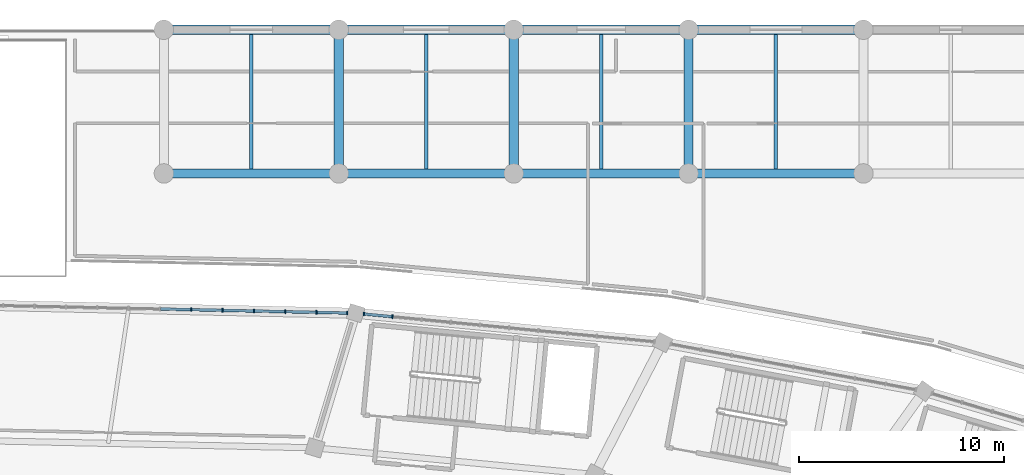
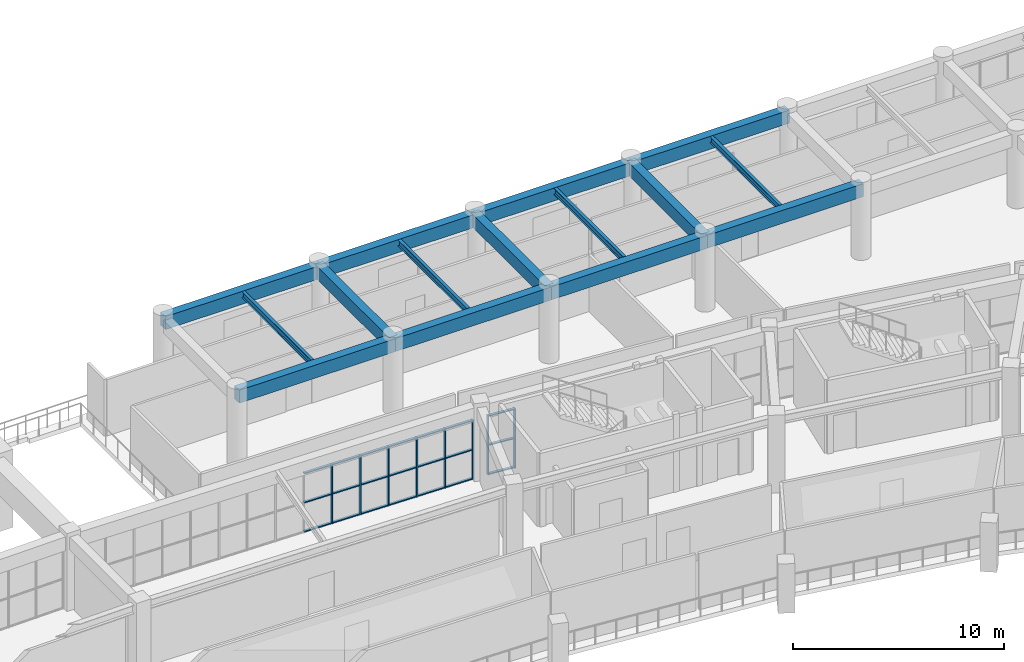
# One storey, part 66 of 141: 29 members, 15 beams, 2 elements without a shape of their own.
"""IFC4 building model written with IfcOpenShell, lengths in metres."""

from ifc_helpers import new_model, si_unit, direction, frame, origin, origin_2d, place, context, subcontext, project, spatial, rectangle, i_section, extrude, material, layer, layer_set, material_profile, profile_set, type_object, element, aggregate, save


model = new_model("IFC4")

# Units and contexts
model_context = context("Model", 3, precision=1e-05, world=origin(), true_north=direction((0.0, 1.0)))
body_context = subcontext(model_context, "Body", "Model", "MODEL_VIEW")
ifc_project = project(units=[si_unit("LENGTHUNIT", "METRE"), si_unit("AREAUNIT", "SQUARE_METRE"), si_unit("VOLUMEUNIT", "CUBIC_METRE"), si_unit("PLANEANGLEUNIT", "RADIAN"), si_unit("MASSUNIT", "GRAM", prefix="KILO")], contexts=[model_context])

# Site, building, storey
site_placement = place(None, origin())
site = spatial("IfcSite", under=ifc_project, at=site_placement, CompositionType="ELEMENT")
building_placement = place(site_placement, origin())
building = spatial("IfcBuilding", under=site, at=building_placement, Name="Mphavela Belvedere Stadium", CompositionType="ELEMENT")
storey_placement = place(building_placement, frame((0.0, 0.0, 14.699951171875)))
storey = spatial("IfcBuildingStorey", under=building, at=storey_placement, Name="L03", CompositionType="ELEMENT", Elevation=14.699951171875)

# Beams
ifc_material_1 = material(Name="Steel S355", Category="steel")
ifc_material_profile_1 = material_profile(ifc_material_1, i_section(OverallWidth=0.169921875, OverallDepth=0.360107421875, WebThickness=0.008056640625, FlangeThickness=0.0126953125, at=origin_2d()), Name="IPE 360")
ifc_profile_set_1 = profile_set([ifc_material_profile_1], Name="Steel S355")
beam_type_1 = type_object("IfcBeamType", Name="BM-JOIST-IPE360", PredefinedType="JOIST", material=ifc_profile_set_1)
for number, where, z_axis, x_axis, name in (
    (1, (132.037109375, 167.22509765625, 4.06005859375), (0.0, 1.0, 0.0), (-1.0, 0.0, 0.0), "North Mast and Ceremonial End Forecourt secondary joist L03 16-7"),
    (2, (140.555419921875, 167.22509765625, 4.06005859375), (0.0, 1.0, 0.0), (-1.0, 0.0, 0.0), "North Mast and Ceremonial End Forecourt secondary joist L03 17-7"),
    (3, (149.073974609375, 167.22509765625, 4.06005859375), (0.0, 1.0, 0.0), (-1.0, 0.0, 0.0), "North Mast and Ceremonial End Forecourt secondary joist L03 18-7"),
    (4, (157.592529296875, 167.22509765625, 4.06005859375), (0.0, 1.0, 0.0), (-1.0, 0.0, 0.0), "North Mast and Ceremonial End Forecourt secondary joist L03 19-7"),
):
    element("IfcBeam", number, at=place(storey_placement, frame(where, z_axis=z_axis, x_axis=x_axis)), inside=storey, type_object=beam_type_1, Name=name, PredefinedType="JOIST", context=body_context, shape_type="SweptSolid", body=[
        extrude(i_section(OverallWidth=0.169921875, OverallDepth=0.360107421875, WebThickness=0.008056640625, FlangeThickness=0.0126953125, at=origin_2d()), origin(), (0.0, 0.0, 1.0), 6.5498046875),
    ])
ifc_material_2 = material(Name="Concrete C40/50", Category="concrete")
ifc_material_profile_2 = material_profile(ifc_material_2, rectangle(XDim=0.449951171875, YDim=0.75, at=origin_2d()), Name="RC 450x750")
ifc_profile_set_2 = profile_set([ifc_material_profile_2], Name="Concrete C40/50")
beam_type_2 = type_object("IfcBeamType", Name="BM-RC450x750", PredefinedType="BEAM", material=ifc_profile_set_2)
for number, where, z_axis, x_axis, name in (
    (5, (127.778076171875, 167.0, 3.864990234375), (1.0, 0.0, 0.0), (0.0, 1.0, 0.0), "North Mast and Ceremonial End Forecourt entablature beam X L03 16-7"),
    (6, (127.778076171875, 174.0, 3.864990234375), (1.0, 0.0, 0.0), (0.0, 1.0, 0.0), "North Mast and Ceremonial End Forecourt entablature beam X L03 16-8"),
):
    element("IfcBeam", number, at=place(storey_placement, frame(where, z_axis=z_axis, x_axis=x_axis)), inside=storey, type_object=beam_type_2, Name=name, PredefinedType="BEAM", context=body_context, shape_type="SweptSolid", body=[
        extrude(rectangle(XDim=0.449951171875, YDim=0.75, at=origin_2d()), origin(), (0.0, 0.0, 1.0), 8.517822265625),
    ])
beam_1_placement = place(storey_placement, frame((136.2958984375, 167.0, 3.864990234375), z_axis=(1.0, 0.0, 0.0), x_axis=(0.0, 1.0, 0.0)))
element("IfcBeam", 7, at=beam_1_placement, inside=storey, type_object=beam_type_2, Name="North Mast and Ceremonial End Forecourt entablature beam X L03 17-7", PredefinedType="BEAM", context=body_context, shape_type="SweptSolid", body=[
    extrude(rectangle(XDim=0.449951171875, YDim=0.75, at=origin_2d()), origin(), (0.0, 0.0, 1.0), 8.51904296875),
])
beam_2_placement = place(storey_placement, frame((136.2958984375, 167.0, 3.864990234375), z_axis=(0.0, 1.0, 0.0), x_axis=(-1.0, 0.0, 0.0)))
element("IfcBeam", 8, at=beam_2_placement, inside=storey, type_object=beam_type_2, Name="North Mast and Ceremonial End Forecourt entablature beam Y L03 17-7", PredefinedType="BEAM", context=body_context, shape_type="SweptSolid", body=[
    extrude(rectangle(XDim=0.449951171875, YDim=0.75, at=origin_2d()), origin(), (0.0, 0.0, 1.0), 7.0),
])
beam_3_placement = place(storey_placement, frame((136.2958984375, 174.0, 3.864990234375), z_axis=(1.0, 0.0, 0.0), x_axis=(0.0, 1.0, 0.0)))
element("IfcBeam", 9, at=beam_3_placement, inside=storey, type_object=beam_type_2, Name="North Mast and Ceremonial End Forecourt entablature beam X L03 17-8", PredefinedType="BEAM", context=body_context, shape_type="SweptSolid", body=[
    extrude(rectangle(XDim=0.449951171875, YDim=0.75, at=origin_2d()), origin(), (0.0, 0.0, 1.0), 8.51904296875),
])
beam_4_placement = place(storey_placement, frame((144.81494140625, 167.0, 3.864990234375), z_axis=(1.0, 0.0, 0.0), x_axis=(0.0, 1.0, 0.0)))
element("IfcBeam", 10, at=beam_4_placement, inside=storey, type_object=beam_type_2, Name="North Mast and Ceremonial End Forecourt entablature beam X L03 18-7", PredefinedType="BEAM", context=body_context, shape_type="SweptSolid", body=[
    extrude(rectangle(XDim=0.449951171875, YDim=0.75, at=origin_2d()), origin(), (0.0, 0.0, 1.0), 8.51806640625),
])
beam_5_placement = place(storey_placement, frame((144.81494140625, 167.0, 3.864990234375), z_axis=(0.0, 1.0, 0.0), x_axis=(-1.0, 0.0, 0.0)))
element("IfcBeam", 11, at=beam_5_placement, inside=storey, type_object=beam_type_2, Name="North Mast and Ceremonial End Forecourt entablature beam Y L03 18-7", PredefinedType="BEAM", context=body_context, shape_type="SweptSolid", body=[
    extrude(rectangle(XDim=0.449951171875, YDim=0.75, at=origin_2d()), origin(), (0.0, 0.0, 1.0), 7.0),
])
beam_6_placement = place(storey_placement, frame((144.81494140625, 174.0, 3.864990234375), z_axis=(1.0, 0.0, 0.0), x_axis=(0.0, 1.0, 0.0)))
element("IfcBeam", 12, at=beam_6_placement, inside=storey, type_object=beam_type_2, Name="North Mast and Ceremonial End Forecourt entablature beam X L03 18-8", PredefinedType="BEAM", context=body_context, shape_type="SweptSolid", body=[
    extrude(rectangle(XDim=0.449951171875, YDim=0.75, at=origin_2d()), origin(), (0.0, 0.0, 1.0), 8.51806640625),
])
beam_7_placement = place(storey_placement, frame((153.3330078125, 167.0, 3.864990234375), z_axis=(1.0, 0.0, 0.0), x_axis=(0.0, 1.0, 0.0)))
element("IfcBeam", 13, at=beam_7_placement, inside=storey, type_object=beam_type_2, Name="North Mast and Ceremonial End Forecourt entablature beam X L03 19-7", PredefinedType="BEAM", context=body_context, shape_type="SweptSolid", body=[
    extrude(rectangle(XDim=0.449951171875, YDim=0.75, at=origin_2d()), origin(), (0.0, 0.0, 1.0), 8.51904296875),
])
beam_8_placement = place(storey_placement, frame((153.3330078125, 167.0, 3.864990234375), z_axis=(0.0, 1.0, 0.0), x_axis=(-1.0, 0.0, 0.0)))
element("IfcBeam", 14, at=beam_8_placement, inside=storey, type_object=beam_type_2, Name="North Mast and Ceremonial End Forecourt entablature beam Y L03 19-7", PredefinedType="BEAM", context=body_context, shape_type="SweptSolid", body=[
    extrude(rectangle(XDim=0.449951171875, YDim=0.75, at=origin_2d()), origin(), (0.0, 0.0, 1.0), 7.0),
])
beam_9_placement = place(storey_placement, frame((153.3330078125, 174.0, 3.864990234375), z_axis=(1.0, 0.0, 0.0), x_axis=(0.0, 1.0, 0.0)))
element("IfcBeam", 15, at=beam_9_placement, inside=storey, type_object=beam_type_2, Name="North Mast and Ceremonial End Forecourt entablature beam X L03 19-8", PredefinedType="BEAM", context=body_context, shape_type="SweptSolid", body=[
    extrude(rectangle(XDim=0.449951171875, YDim=0.75, at=origin_2d()), origin(), (0.0, 0.0, 1.0), 8.51904296875),
])

# Curtain wall, members
ifc_material_3 = material(Name="Anodised bronze unitised curtain wall framing")
ifc_layer_1 = layer(ifc_material_3, 0.18994140625)
ifc_layer_set_1 = layer_set([ifc_layer_1], Name="Anodised bronze unitised curtain wall framing")
curtain_wall_type_1 = type_object("IfcCurtainWallType", Name="CW-UNIT-03", PredefinedType="USERDEFINED", material=ifc_layer_set_1)
curtain_wall_1_placement = place(storey_placement, origin())
curtain_wall_1 = element("IfcCurtainWall", 16, at=curtain_wall_1_placement, inside=storey, type_object=curtain_wall_type_1, Name="Belvedere colonnade curtain wall L03-11", ObjectType="UNITISED CURTAIN WALL", PredefinedType="USERDEFINED")
ifc_material_4 = material(Name="Anodised bronze extruded aluminium", Category="aluminium")
ifc_material_profile_3 = material_profile(ifc_material_4, rectangle(XDim=0.179931640625, YDim=0.06494140625, at=origin_2d()), Name="CW-MUL 180x65")
ifc_profile_set_3 = profile_set([ifc_material_profile_3], Name="Anodised bronze extruded aluminium")
member_type_1 = type_object("IfcMemberType", Name="CWM-180x65", PredefinedType="MULLION", material=ifc_profile_set_3)
member_1_placement = place(storey_placement, frame((138.907470703125, 160.02294921875, 0.0), z_axis=(0.0, 0.0, 1.0), x_axis=(-0.094929381996, -0.99548400913, 0.0)))
member_1 = element("IfcMember", 17, at=member_1_placement, type_object=member_type_1, Name="CW-03 mullion 10", PredefinedType="MULLION", context=body_context, shape_type="SweptSolid", body=[
    extrude(rectangle(XDim=0.179931640625, YDim=0.06494140625, at=origin_2d()), origin(), (0.0, 0.0, 1.0), 3.420166015625),
])
member_2_placement = place(storey_placement, frame((137.518310546875, 160.1552734375, 0.0), z_axis=(0.0, 0.0, 1.0), x_axis=(-0.094929381996, -0.99548400913, 0.0)))
member_2 = element("IfcMember", 18, at=member_2_placement, type_object=member_type_1, Name="CW-03 mullion 11", PredefinedType="MULLION", context=body_context, shape_type="SweptSolid", body=[
    extrude(rectangle(XDim=0.179931640625, YDim=0.06494140625, at=origin_2d()), origin(), (0.0, 0.0, 1.0), 3.420166015625),
])

ifc_material_5 = material(Name="Anodised bronze unitised curtain wall framing")
ifc_layer_2 = layer(ifc_material_5, 0.195068359375)
ifc_layer_set_2 = layer_set([ifc_layer_2], Name="Anodised bronze unitised curtain wall framing")
curtain_wall_type_2 = type_object("IfcCurtainWallType", Name="CW-UNIT-04", PredefinedType="USERDEFINED", material=ifc_layer_set_2)
curtain_wall_2_placement = place(storey_placement, origin())
curtain_wall_2 = element("IfcCurtainWall", 19, at=curtain_wall_2_placement, inside=storey, type_object=curtain_wall_type_2, Name="Belvedere colonnade curtain wall L03-12", ObjectType="UNITISED CURTAIN WALL", PredefinedType="USERDEFINED")
member_3_placement = place(storey_placement, frame((136.709228515625, 160.202392578125, 0.0), z_axis=(0.0, 0.0, 1.0), x_axis=(-0.02153107878, -0.999768179453, 0.0)))
member_3 = element("IfcMember", 20, at=member_3_placement, type_object=member_type_1, Name="CW-04 mullion 1", PredefinedType="MULLION", context=body_context, shape_type="SweptSolid", body=[
    extrude(rectangle(XDim=0.179931640625, YDim=0.06494140625, at=origin_2d()), origin(), (0.0, 0.0, 1.0), 3.420166015625),
])
member_4_placement = place(storey_placement, frame((135.21533203125, 160.234619140625, 0.0), z_axis=(0.0, 0.0, 1.0), x_axis=(-0.02153107878, -0.999768179453, 0.0)))
member_4 = element("IfcMember", 21, at=member_4_placement, type_object=member_type_1, Name="CW-04 mullion 2", PredefinedType="MULLION", context=body_context, shape_type="SweptSolid", body=[
    extrude(rectangle(XDim=0.179931640625, YDim=0.06494140625, at=origin_2d()), origin(), (0.0, 0.0, 1.0), 3.420166015625),
])
member_5_placement = place(storey_placement, frame((133.68896484375, 160.267578125, 0.0), z_axis=(0.0, 0.0, 1.0), x_axis=(-0.02153107878, -0.999768179453, 0.0)))
member_5 = element("IfcMember", 22, at=member_5_placement, type_object=member_type_1, Name="CW-04 mullion 3", PredefinedType="MULLION", context=body_context, shape_type="SweptSolid", body=[
    extrude(rectangle(XDim=0.179931640625, YDim=0.06494140625, at=origin_2d()), origin(), (0.0, 0.0, 1.0), 3.420166015625),
])
member_6_placement = place(storey_placement, frame((132.16259765625, 160.30029296875, 0.0), z_axis=(0.0, 0.0, 1.0), x_axis=(-0.02153107878, -0.999768179453, 0.0)))
member_6 = element("IfcMember", 23, at=member_6_placement, type_object=member_type_1, Name="CW-04 mullion 4", PredefinedType="MULLION", context=body_context, shape_type="SweptSolid", body=[
    extrude(rectangle(XDim=0.179931640625, YDim=0.06494140625, at=origin_2d()), origin(), (0.0, 0.0, 1.0), 3.420166015625),
])
member_7_placement = place(storey_placement, frame((130.63623046875, 160.333251953125, 0.0), z_axis=(0.0, 0.0, 1.0), x_axis=(-0.02153107878, -0.999768179453, 0.0)))
member_7 = element("IfcMember", 24, at=member_7_placement, type_object=member_type_1, Name="CW-04 mullion 5", PredefinedType="MULLION", context=body_context, shape_type="SweptSolid", body=[
    extrude(rectangle(XDim=0.179931640625, YDim=0.06494140625, at=origin_2d()), origin(), (0.0, 0.0, 1.0), 3.420166015625),
])
member_8_placement = place(storey_placement, frame((129.110107421875, 160.3662109375, 0.0), z_axis=(0.0, 0.0, 1.0), x_axis=(-0.02153107878, -0.999768179453, 0.0)))
member_8 = element("IfcMember", 25, at=member_8_placement, type_object=member_type_1, Name="CW-04 mullion 6", PredefinedType="MULLION", context=body_context, shape_type="SweptSolid", body=[
    extrude(rectangle(XDim=0.179931640625, YDim=0.06494140625, at=origin_2d()), origin(), (0.0, 0.0, 1.0), 3.420166015625),
])

# Member
ifc_material_6 = material(Name="Anodised bronze extruded aluminium", Category="aluminium")
ifc_material_profile_4 = material_profile(ifc_material_6, rectangle(XDim=0.139892578125, YDim=0.06005859375, at=origin_2d()), Name="CW-TRN 140x60")
ifc_profile_set_4 = profile_set([ifc_material_profile_4], Name="Anodised bronze extruded aluminium")
member_type_2 = type_object("IfcMemberType", Name="CWT-140x60", PredefinedType="USERDEFINED", material=ifc_profile_set_4)
member_9_placement = place(storey_placement, frame((138.875, 160.02587890625, 0.030029296875), z_axis=(-0.995472351283, 0.095051553542, 0.0), x_axis=(-0.095051553542, -0.995472351283, 0.0)))
member_9 = element("IfcMember", 26, at=member_9_placement, type_object=member_type_2, Name="CW-03 transom 10.1", ObjectType="TRANSOM", PredefinedType="USERDEFINED", context=body_context, shape_type="SweptSolid", body=[
    extrude(rectangle(XDim=0.139892578125, YDim=0.06005859375, at=origin_2d()), origin(), (0.0, 0.0, 1.0), 1.33056640625),
])

member_10_placement = place(storey_placement, frame((138.875, 160.02587890625, 1.7099609375), z_axis=(-0.995472351283, 0.095051553542, 0.0), x_axis=(-0.095051553542, -0.995472351283, 0.0)))
member_10 = element("IfcMember", 27, at=member_10_placement, type_object=member_type_2, Name="CW-03 transom 10.2", ObjectType="TRANSOM", PredefinedType="USERDEFINED", context=body_context, shape_type="SweptSolid", body=[
    extrude(rectangle(XDim=0.139892578125, YDim=0.06005859375, at=origin_2d()), origin(), (0.0, 0.0, 1.0), 1.33056640625),
])

member_11_placement = place(storey_placement, frame((138.875, 160.02587890625, 3.39013671875), z_axis=(-0.995472351283, 0.095051553542, 0.0), x_axis=(-0.095051553542, -0.995472351283, 0.0)))
member_11 = element("IfcMember", 28, at=member_11_placement, type_object=member_type_2, Name="CW-03 transom 10.3", ObjectType="TRANSOM", PredefinedType="USERDEFINED", context=body_context, shape_type="SweptSolid", body=[
    extrude(rectangle(XDim=0.139892578125, YDim=0.06005859375, at=origin_2d()), origin(), (0.0, 0.0, 1.0), 1.33056640625),
])

aggregate(curtain_wall_1, [member_1, member_2, member_9, member_10, member_11])

member_12_placement = place(storey_placement, frame((136.6767578125, 160.203125, 0.030029296875), z_axis=(-0.999768365561, 0.021522435343, 0.0), x_axis=(-0.021522435343, -0.999768365561, 0.0)))
member_12 = element("IfcMember", 29, at=member_12_placement, type_object=member_type_2, Name="CW-04 transom 1.1", ObjectType="TRANSOM", PredefinedType="USERDEFINED", context=body_context, shape_type="SweptSolid", body=[
    extrude(rectangle(XDim=0.139892578125, YDim=0.06005859375, at=origin_2d()), origin(), (0.0, 0.0, 1.0), 1.42919921875),
])

member_13_placement = place(storey_placement, frame((136.6767578125, 160.203125, 1.7099609375), z_axis=(-0.999768365561, 0.021522435343, 0.0), x_axis=(-0.021522435343, -0.999768365561, 0.0)))
member_13 = element("IfcMember", 30, at=member_13_placement, type_object=member_type_2, Name="CW-04 transom 1.2", ObjectType="TRANSOM", PredefinedType="USERDEFINED", context=body_context, shape_type="SweptSolid", body=[
    extrude(rectangle(XDim=0.139892578125, YDim=0.06005859375, at=origin_2d()), origin(), (0.0, 0.0, 1.0), 1.42919921875),
])

member_14_placement = place(storey_placement, frame((136.6767578125, 160.203125, 3.39013671875), z_axis=(-0.999768365561, 0.021522435343, 0.0), x_axis=(-0.021522435343, -0.999768365561, 0.0)))
member_14 = element("IfcMember", 31, at=member_14_placement, type_object=member_type_2, Name="CW-04 transom 1.3", ObjectType="TRANSOM", PredefinedType="USERDEFINED", context=body_context, shape_type="SweptSolid", body=[
    extrude(rectangle(XDim=0.139892578125, YDim=0.06005859375, at=origin_2d()), origin(), (0.0, 0.0, 1.0), 1.42919921875),
])

member_15_placement = place(storey_placement, frame((135.182861328125, 160.2353515625, 0.030029296875), z_axis=(-0.999767873479, 0.021545281604, 0.0), x_axis=(-0.021545281604, -0.999767873479, 0.0)))
member_15 = element("IfcMember", 32, at=member_15_placement, type_object=member_type_2, Name="CW-04 transom 2.1", ObjectType="TRANSOM", PredefinedType="USERDEFINED", context=body_context, shape_type="SweptSolid", body=[
    extrude(rectangle(XDim=0.139892578125, YDim=0.06005859375, at=origin_2d()), origin(), (0.0, 0.0, 1.0), 1.461669921875),
])

member_16_placement = place(storey_placement, frame((135.182861328125, 160.2353515625, 1.7099609375), z_axis=(-0.999767873479, 0.021545281604, 0.0), x_axis=(-0.021545281604, -0.999767873479, 0.0)))
member_16 = element("IfcMember", 33, at=member_16_placement, type_object=member_type_2, Name="CW-04 transom 2.2", ObjectType="TRANSOM", PredefinedType="USERDEFINED", context=body_context, shape_type="SweptSolid", body=[
    extrude(rectangle(XDim=0.139892578125, YDim=0.06005859375, at=origin_2d()), origin(), (0.0, 0.0, 1.0), 1.461669921875),
])

member_17_placement = place(storey_placement, frame((135.182861328125, 160.2353515625, 3.39013671875), z_axis=(-0.999767873479, 0.021545281604, 0.0), x_axis=(-0.021545281604, -0.999767873479, 0.0)))
member_17 = element("IfcMember", 34, at=member_17_placement, type_object=member_type_2, Name="CW-04 transom 2.3", ObjectType="TRANSOM", PredefinedType="USERDEFINED", context=body_context, shape_type="SweptSolid", body=[
    extrude(rectangle(XDim=0.139892578125, YDim=0.06005859375, at=origin_2d()), origin(), (0.0, 0.0, 1.0), 1.461669921875),
])

member_18_placement = place(storey_placement, frame((133.656494140625, 160.268310546875, 0.030029296875), z_axis=(-0.999767873479, 0.021545281604, 0.0), x_axis=(-0.021545281604, -0.999767873479, 0.0)))
member_18 = element("IfcMember", 35, at=member_18_placement, type_object=member_type_2, Name="CW-04 transom 3.1", ObjectType="TRANSOM", PredefinedType="USERDEFINED", context=body_context, shape_type="SweptSolid", body=[
    extrude(rectangle(XDim=0.139892578125, YDim=0.06005859375, at=origin_2d()), origin(), (0.0, 0.0, 1.0), 1.461669921875),
])

member_19_placement = place(storey_placement, frame((133.656494140625, 160.268310546875, 1.7099609375), z_axis=(-0.999767873479, 0.021545281604, 0.0), x_axis=(-0.021545281604, -0.999767873479, 0.0)))
member_19 = element("IfcMember", 36, at=member_19_placement, type_object=member_type_2, Name="CW-04 transom 3.2", ObjectType="TRANSOM", PredefinedType="USERDEFINED", context=body_context, shape_type="SweptSolid", body=[
    extrude(rectangle(XDim=0.139892578125, YDim=0.06005859375, at=origin_2d()), origin(), (0.0, 0.0, 1.0), 1.461669921875),
])

member_20_placement = place(storey_placement, frame((133.656494140625, 160.268310546875, 3.39013671875), z_axis=(-0.999767873479, 0.021545281604, 0.0), x_axis=(-0.021545281604, -0.999767873479, 0.0)))
member_20 = element("IfcMember", 37, at=member_20_placement, type_object=member_type_2, Name="CW-04 transom 3.3", ObjectType="TRANSOM", PredefinedType="USERDEFINED", context=body_context, shape_type="SweptSolid", body=[
    extrude(rectangle(XDim=0.139892578125, YDim=0.06005859375, at=origin_2d()), origin(), (0.0, 0.0, 1.0), 1.461669921875),
])

member_21_placement = place(storey_placement, frame((132.130126953125, 160.301025390625, 0.030029296875), z_axis=(-0.999767873479, 0.021545281604, 0.0), x_axis=(-0.021545281604, -0.999767873479, 0.0)))
member_21 = element("IfcMember", 38, at=member_21_placement, type_object=member_type_2, Name="CW-04 transom 4.1", ObjectType="TRANSOM", PredefinedType="USERDEFINED", context=body_context, shape_type="SweptSolid", body=[
    extrude(rectangle(XDim=0.139892578125, YDim=0.06005859375, at=origin_2d()), origin(), (0.0, 0.0, 1.0), 1.461669921875),
])

member_22_placement = place(storey_placement, frame((132.130126953125, 160.301025390625, 1.7099609375), z_axis=(-0.999767873479, 0.021545281604, 0.0), x_axis=(-0.021545281604, -0.999767873479, 0.0)))
member_22 = element("IfcMember", 39, at=member_22_placement, type_object=member_type_2, Name="CW-04 transom 4.2", ObjectType="TRANSOM", PredefinedType="USERDEFINED", context=body_context, shape_type="SweptSolid", body=[
    extrude(rectangle(XDim=0.139892578125, YDim=0.06005859375, at=origin_2d()), origin(), (0.0, 0.0, 1.0), 1.461669921875),
])

member_23_placement = place(storey_placement, frame((132.130126953125, 160.301025390625, 3.39013671875), z_axis=(-0.999767873479, 0.021545281604, 0.0), x_axis=(-0.021545281604, -0.999767873479, 0.0)))
member_23 = element("IfcMember", 40, at=member_23_placement, type_object=member_type_2, Name="CW-04 transom 4.3", ObjectType="TRANSOM", PredefinedType="USERDEFINED", context=body_context, shape_type="SweptSolid", body=[
    extrude(rectangle(XDim=0.139892578125, YDim=0.06005859375, at=origin_2d()), origin(), (0.0, 0.0, 1.0), 1.461669921875),
])

member_24_placement = place(storey_placement, frame((130.603759765625, 160.333984375, 0.030029296875), z_axis=(-0.99976779593, 0.021548879812, 0.0), x_axis=(-0.021548879812, -0.99976779593, 0.0)))
member_24 = element("IfcMember", 41, at=member_24_placement, type_object=member_type_2, Name="CW-04 transom 5.1", ObjectType="TRANSOM", PredefinedType="USERDEFINED", context=body_context, shape_type="SweptSolid", body=[
    extrude(rectangle(XDim=0.139892578125, YDim=0.06005859375, at=origin_2d()), origin(), (0.0, 0.0, 1.0), 1.46142578125),
])

member_25_placement = place(storey_placement, frame((130.603759765625, 160.333984375, 1.7099609375), z_axis=(-0.99976779593, 0.021548879812, 0.0), x_axis=(-0.021548879812, -0.99976779593, 0.0)))
member_25 = element("IfcMember", 42, at=member_25_placement, type_object=member_type_2, Name="CW-04 transom 5.2", ObjectType="TRANSOM", PredefinedType="USERDEFINED", context=body_context, shape_type="SweptSolid", body=[
    extrude(rectangle(XDim=0.139892578125, YDim=0.06005859375, at=origin_2d()), origin(), (0.0, 0.0, 1.0), 1.46142578125),
])

member_26_placement = place(storey_placement, frame((130.603759765625, 160.333984375, 3.39013671875), z_axis=(-0.99976779593, 0.021548879812, 0.0), x_axis=(-0.021548879812, -0.99976779593, 0.0)))
member_26 = element("IfcMember", 43, at=member_26_placement, type_object=member_type_2, Name="CW-04 transom 5.3", ObjectType="TRANSOM", PredefinedType="USERDEFINED", context=body_context, shape_type="SweptSolid", body=[
    extrude(rectangle(XDim=0.139892578125, YDim=0.06005859375, at=origin_2d()), origin(), (0.0, 0.0, 1.0), 1.46142578125),
])

member_27_placement = place(storey_placement, frame((129.077392578125, 160.366943359375, 0.030029296875), z_axis=(-0.99976779593, 0.021548879812, 0.0), x_axis=(-0.021548879812, -0.99976779593, 0.0)))
member_27 = element("IfcMember", 44, at=member_27_placement, type_object=member_type_2, Name="CW-04 transom 6.1", ObjectType="TRANSOM", PredefinedType="USERDEFINED", context=body_context, shape_type="SweptSolid", body=[
    extrude(rectangle(XDim=0.139892578125, YDim=0.06005859375, at=origin_2d()), origin(), (0.0, 0.0, 1.0), 1.46142578125),
])

member_28_placement = place(storey_placement, frame((129.077392578125, 160.366943359375, 1.7099609375), z_axis=(-0.99976779593, 0.021548879812, 0.0), x_axis=(-0.021548879812, -0.99976779593, 0.0)))
member_28 = element("IfcMember", 45, at=member_28_placement, type_object=member_type_2, Name="CW-04 transom 6.2", ObjectType="TRANSOM", PredefinedType="USERDEFINED", context=body_context, shape_type="SweptSolid", body=[
    extrude(rectangle(XDim=0.139892578125, YDim=0.06005859375, at=origin_2d()), origin(), (0.0, 0.0, 1.0), 1.46142578125),
])

member_29_placement = place(storey_placement, frame((129.077392578125, 160.366943359375, 3.39013671875), z_axis=(-0.99976779593, 0.021548879812, 0.0), x_axis=(-0.021548879812, -0.99976779593, 0.0)))
member_29 = element("IfcMember", 46, at=member_29_placement, type_object=member_type_2, Name="CW-04 transom 6.3", ObjectType="TRANSOM", PredefinedType="USERDEFINED", context=body_context, shape_type="SweptSolid", body=[
    extrude(rectangle(XDim=0.139892578125, YDim=0.06005859375, at=origin_2d()), origin(), (0.0, 0.0, 1.0), 1.46142578125),
])

aggregate(curtain_wall_2, [member_3, member_4, member_5, member_6, member_7, member_8, member_12, member_13, member_14, member_15, member_16, member_17, member_18, member_19, member_20, member_21, member_22, member_23, member_24, member_25, member_26, member_27, member_28, member_29])

save(model, "model.ifc")
